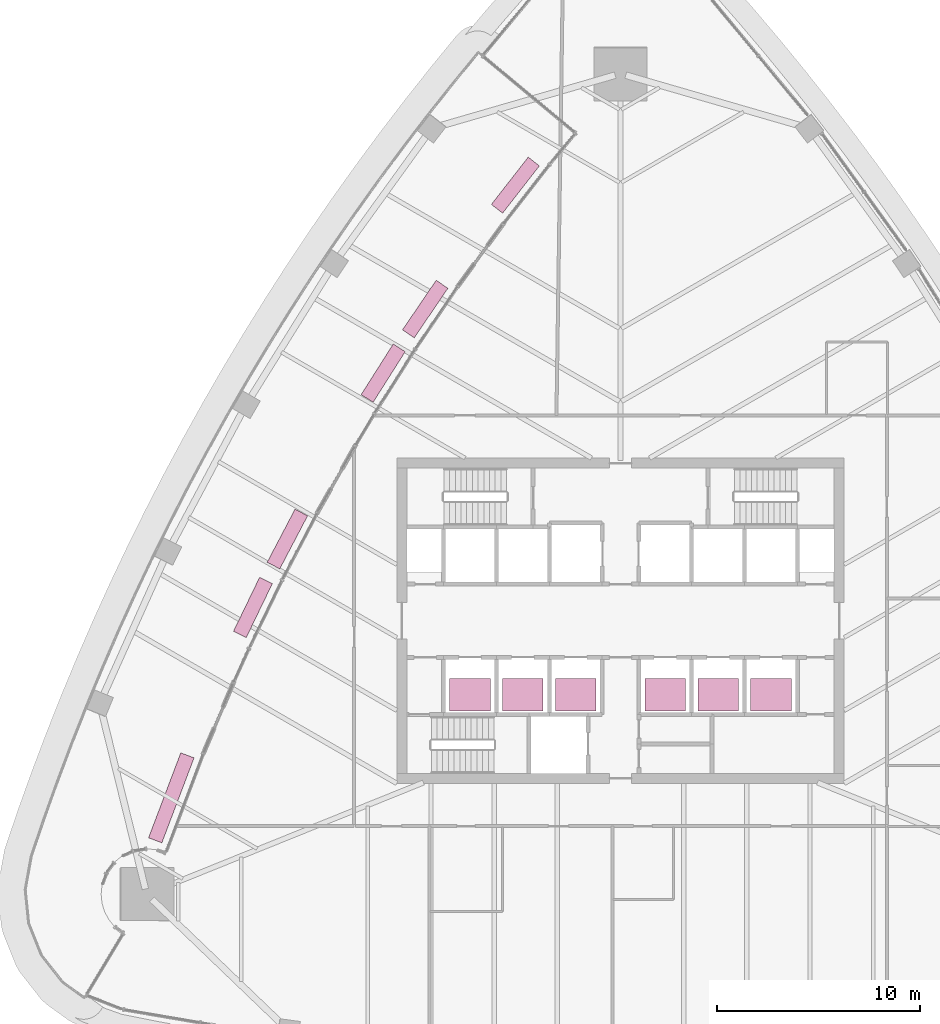
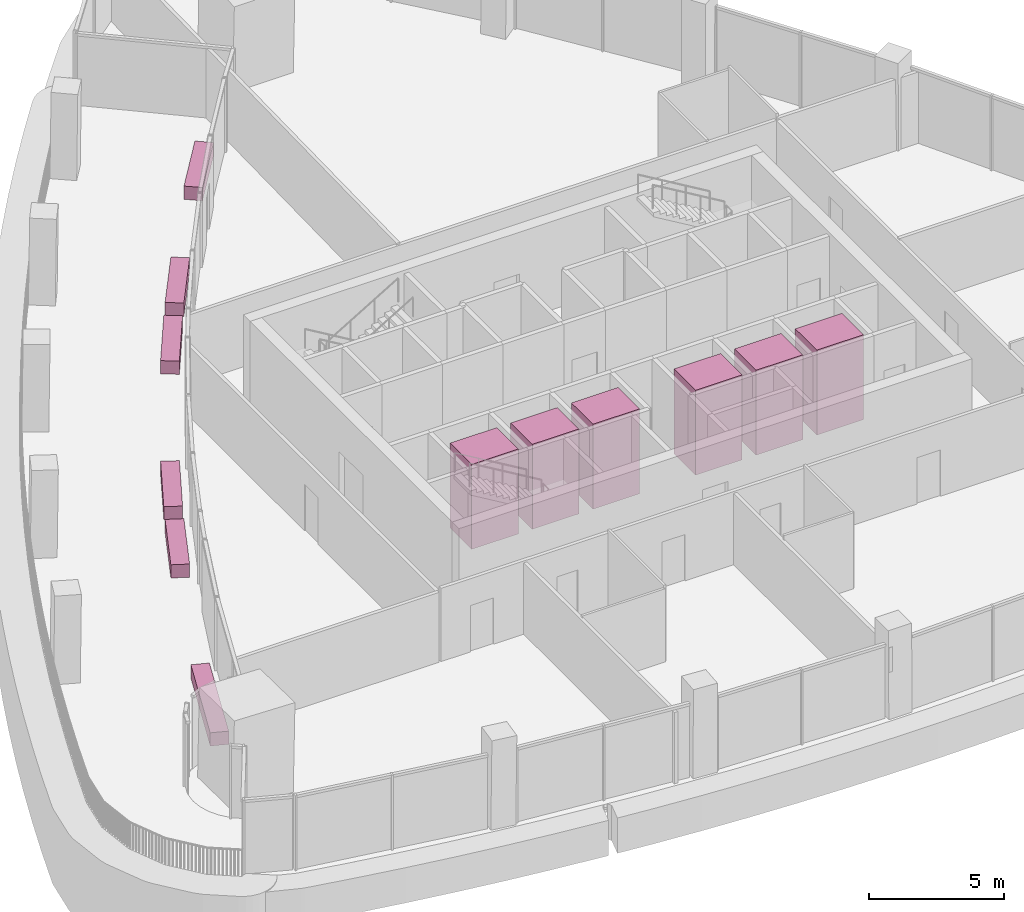
# One storey, part 18 of 18: 6 furniture elements, 6 transport elements.
"""IFC4 building model written with IfcOpenShell, lengths in metres."""

from ifc_helpers import new_model, si_unit, direction, frame, origin, origin_2d, place, context, subcontext, project, spatial, rectangle, extrude, material, type_object, element, save


model = new_model("IFC4")

# Units and contexts
model_context = context("Model", 3, precision=1e-05, world=origin(), true_north=direction((0.0, 1.0)))
body_context = subcontext(model_context, "Body", "Model", "MODEL_VIEW")
ifc_project = project(units=[si_unit("LENGTHUNIT", "METRE"), si_unit("AREAUNIT", "SQUARE_METRE"), si_unit("VOLUMEUNIT", "CUBIC_METRE"), si_unit("PLANEANGLEUNIT", "RADIAN"), si_unit("MASSUNIT", "GRAM", prefix="KILO")], contexts=[model_context])

# Site, building, storey
site_placement = place(None, origin())
site = spatial("IfcSite", under=ifc_project, at=site_placement, CompositionType="ELEMENT")
building_placement = place(site_placement, origin())
building = spatial("IfcBuilding", under=site, at=building_placement, Name="Sierra Prisma Convention Tower", CompositionType="ELEMENT")
storey_placement = place(building_placement, frame((0.0, 0.0, 189.800048828125)))
storey = spatial("IfcBuildingStorey", under=building, at=storey_placement, Name="L42", CompositionType="ELEMENT", Elevation=189.800048828125)

# Transport elements
ifc_material_1 = material(Name="Stainless steel", Category="steel")
transport_element_type = type_object("IfcTransportElementType", Name="Lift car office low 2000x1600 1600 kg", PredefinedType="ELEVATOR", material=ifc_material_1)
for number, where, z_axis, x_axis, name in (
    (1, (-7.39990234375, -3.64990234375, 0.0), (0.0, 0.0, 1.0), (1.0, 0.0, 0.0), "Lift OL1"),
    (2, (-4.800048828125, -3.64990234375, 0.0), (0.0, 0.0, 1.0), (1.0, 0.0, 0.0), "Lift OL2"),
    (3, (-2.199951171875, -3.64990234375, 0.0), (0.0, 0.0, 1.0), (1.0, 0.0, 0.0), "Lift OL3"),
    (4, (2.199951171875, -3.64990234375, 0.0), (0.0, 0.0, 1.0), (1.0, 0.0, 0.0), "Lift OL4"),
    (5, (4.800048828125, -3.64990234375, 0.0), (0.0, 0.0, 1.0), (1.0, 0.0, 0.0), "Lift OL5"),
    (6, (7.39990234375, -3.64990234375, 0.0), (0.0, 0.0, 1.0), (1.0, 0.0, 0.0), "Lift OL6"),
):
    element("IfcTransportElement", number, at=place(storey_placement, frame(where, z_axis=z_axis, x_axis=x_axis)), inside=storey, type_object=transport_element_type, Name=name, PredefinedType="ELEVATOR", context=body_context, shape_type="SweptSolid", body=[
        extrude(rectangle(XDim=2.0, YDim=1.60009765625, at=origin_2d()), origin(), (0.0, 0.0, 1.0), 3.85009765625),
    ])

# Furniture
ifc_material_2 = material(Name="Precast concrete C40/50", Category="concrete")
furniture_type = type_object("IfcFurnitureType", Name="Terrace planter", AssemblyPlace="NOTDEFINED", PredefinedType="USERDEFINED", material=ifc_material_2)
for number, where, z_axis, x_axis, name in (
    (7, (-5.16748046875, 21.419189453125, 0.039794921875), (0.0, 0.0, 1.0), (-0.61446100459, -0.788947193314, 0.0), "Planter L42.2"),
    (8, (-9.602294921875, 15.326416015625, 0.039794921875), (0.0, 0.0, 1.0), (-0.561926190624, -0.827187376772, 0.0), "Planter L42.4"),
    (9, (-11.6689453125, 12.175048828125, 0.039794921875), (0.0, 0.0, 1.0), (-0.534754802072, -0.845007279058, 0.0), "Planter L42.5"),
    (10, (-16.37841796875, 4.01806640625, 0.039794921875), (0.0, 0.0, 1.0), (-0.464420369011, -0.885614882919, 0.0), "Planter L42.8"),
    (11, (-18.07421875, 0.652587890625, 0.039794921875), (0.0, 0.0, 1.0), (-0.435402186663, -0.900236044518, 0.0), "Planter L42.9"),
):
    element("IfcFurniture", number, at=place(storey_placement, frame(where, z_axis=z_axis, x_axis=x_axis)), inside=storey, type_object=furniture_type, Name=name, ObjectType="PLANTER", PredefinedType="USERDEFINED", context=body_context, shape_type="SweptSolid", body=[
        extrude(rectangle(XDim=2.9462890625, YDim=0.699951171875, at=origin_2d()), origin(), (0.0, 0.0, 1.0), 0.60009765625),
    ])
furniture_placement = place(storey_placement, frame((-22.0869140625, -8.707763671875, 0.039794921875), z_axis=(0.0, 0.0, 1.0), x_axis=(-0.354333276839, -0.93511920573, 0.0)))
element("IfcFurniture", 12, at=furniture_placement, inside=storey, type_object=furniture_type, Name="Planter L42.12", ObjectType="PLANTER", PredefinedType="USERDEFINED", context=body_context, shape_type="SweptSolid", body=[
    extrude(rectangle(XDim=4.4697265625, YDim=0.699951171875, at=origin_2d()), origin(), (0.0, 0.0, 1.0), 0.60009765625),
])

save(model, "model.ifc")
